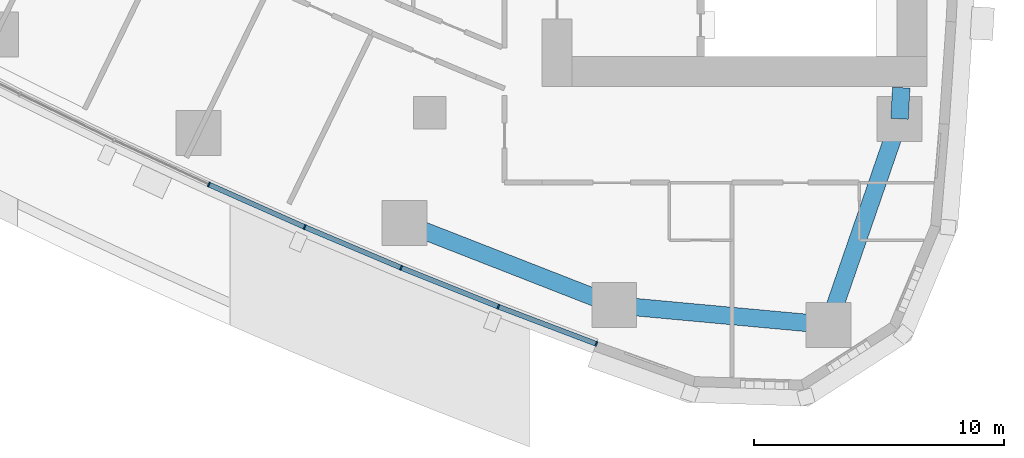
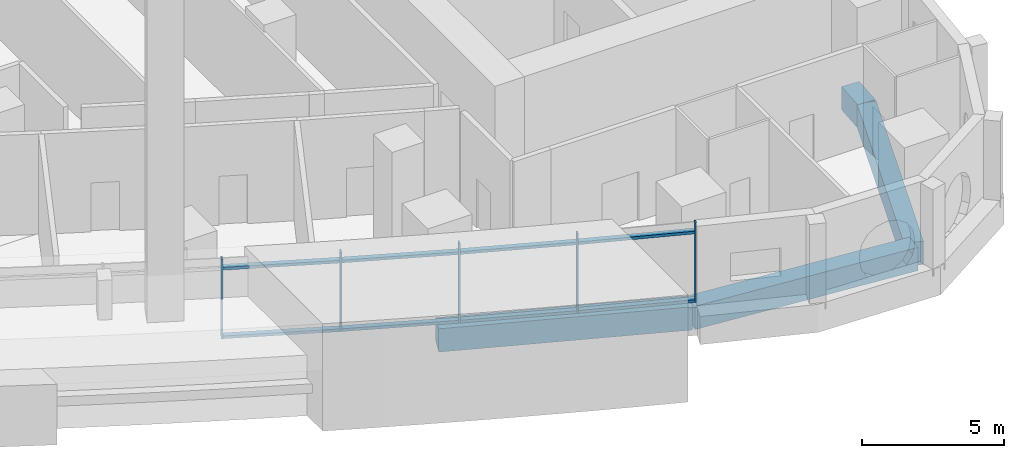
# One storey, part 3 of 20: 13 members, 4 beams, 3 elements without a shape of their own.
"""IFC4 building model written with IfcOpenShell, lengths in metres."""

from ifc_helpers import new_model, si_unit, direction, frame, origin, origin_2d, place, context, subcontext, project, spatial, rectangle, extrude, material, layer, layer_set, material_profile, profile_set, type_object, element, aggregate, save


model = new_model("IFC4")

# Units and contexts
model_context = context("Model", 3, precision=1e-05, world=origin(), true_north=direction((0.0, 1.0)))
body_context = subcontext(model_context, "Body", "Model", "MODEL_VIEW")
ifc_project = project(units=[si_unit("LENGTHUNIT", "METRE"), si_unit("AREAUNIT", "SQUARE_METRE"), si_unit("VOLUMEUNIT", "CUBIC_METRE"), si_unit("PLANEANGLEUNIT", "RADIAN"), si_unit("MASSUNIT", "GRAM", prefix="KILO")], contexts=[model_context])

# Site, building, storey
site_placement = place(None, origin())
site = spatial("IfcSite", under=ifc_project, at=site_placement, CompositionType="ELEMENT")
building_placement = place(site_placement, origin())
building = spatial("IfcBuilding", under=site, at=building_placement, Name="Ostrand Prow Hotel Tower", CompositionType="ELEMENT")
storey_placement = place(building_placement, frame((0.0, 0.0, 35.0)))
storey = spatial("IfcBuildingStorey", under=building, at=storey_placement, Name="L06", CompositionType="ELEMENT", Elevation=35.0)

# Beams
ifc_material_1 = material(Name="Concrete C80/95", Category="concrete")
ifc_material_profile_1 = material_profile(ifc_material_1, rectangle(XDim=0.699951171875, YDim=1.0, at=origin_2d()), Name="RC 700x1000")
ifc_profile_set_1 = profile_set([ifc_material_profile_1], Name="Concrete C80/95")
beam_type = type_object("IfcBeamType", Name="Edge beam 700x1000 C80/95", PredefinedType="SPANDREL", material=ifc_profile_set_1)
beam_1_placement = place(storey_placement, frame((43.997802734375, -22.427978515625, -0.800048828125), z_axis=(0.931329480916, -0.364177701098, 0.0), x_axis=(0.364177701098, 0.931329480916, 0.0)))
element("IfcBeam", 1, at=beam_1_placement, inside=storey, type_object=beam_type, Name="Edge beam S5-S6", PredefinedType="SPANDREL", context=body_context, shape_type="SweptSolid", body=[
    extrude(rectangle(XDim=0.699951171875, YDim=1.0, at=origin_2d()), origin(), (0.0, 0.0, 1.0), 9.0126953125),
])
beam_2_placement = place(storey_placement, frame((52.3916015625, -25.710205078125, -0.800048828125), z_axis=(0.995800189514, -0.091553167961, 0.0), x_axis=(0.091553167961, 0.995800189514, 0.0)))
element("IfcBeam", 2, at=beam_2_placement, inside=storey, type_object=beam_type, Name="Edge beam S6-SE", PredefinedType="SPANDREL", context=body_context, shape_type="SweptSolid", body=[
    extrude(rectangle(XDim=0.699951171875, YDim=1.0, at=origin_2d()), origin(), (0.0, 0.0, 1.0), 8.610595703125),
])
beam_3_placement = place(storey_placement, frame((60.966064453125, -26.49853515625, -0.800048828125), z_axis=(0.326263961413, 0.945278703602, 0.0), x_axis=(-0.945278703602, 0.326263961413, 0.0)))
element("IfcBeam", 3, at=beam_3_placement, inside=storey, type_object=beam_type, Name="Edge beam SE-B1", PredefinedType="SPANDREL", context=body_context, shape_type="SweptSolid", body=[
    extrude(rectangle(XDim=0.699951171875, YDim=1.0, at=origin_2d()), origin(), (0.0, 0.0, 1.0), 8.727294921875),
])
beam_4_placement = place(storey_placement, frame((63.8134765625, -18.248779296875, -0.800048828125), z_axis=(0.056215946509, 0.998418633319, 0.0), x_axis=(-0.998418633319, 0.056215946509, 0.0)))
element("IfcBeam", 4, at=beam_4_placement, inside=storey, type_object=beam_type, Name="Edge beam B1-B2", PredefinedType="SPANDREL", context=body_context, shape_type="SweptSolid", body=[
    extrude(rectangle(XDim=0.699951171875, YDim=1.0, at=origin_2d()), origin(), (0.0, 0.0, 1.0), 1.250732421875),
])

# Curtain wall, member
ifc_material_2 = material(Name="Insulated glass in bronze anodised frame", Category="glass")
ifc_layer = layer(ifc_material_2, 0.199951171875)
ifc_layer_set = layer_set([ifc_layer], Name="Insulated glass in bronze anodised frame")
curtain_wall_type = type_object("IfcCurtainWallType", Name="Sky lobby full-height curtain wall", PredefinedType="NOTDEFINED", material=ifc_layer_set)
curtain_wall_1_placement = place(storey_placement, origin())
curtain_wall_1 = element("IfcCurtainWall", 5, at=curtain_wall_1_placement, inside=storey, type_object=curtain_wall_type, Name="CW3 run CWS3", PredefinedType="NOTDEFINED")
ifc_material_3 = material(Name="Bronze anodised aluminium", Category="aluminium")
ifc_material_profile_2 = material_profile(ifc_material_3, rectangle(XDim=0.199951171875, YDim=0.06005859375, at=origin_2d()), Name="Mullion 60x200 bronze anodised aluminium")
ifc_profile_set_2 = profile_set([ifc_material_profile_2], Name="Bronze anodised aluminium")
member_type_1 = type_object("IfcMemberType", Name="Mullion 60x200 bronze anodised aluminium", PredefinedType="MULLION", material=ifc_profile_set_2)
member_1_placement = place(storey_placement, frame((36.162109375, -20.876953125, 0.89990234375), z_axis=(0.0, 0.0, 1.0), x_axis=(0.422529678615, 0.906349088757, 0.0)))
member_1 = element("IfcMember", 6, at=member_1_placement, type_object=member_type_1, Name="CW3 mullion 3", PredefinedType="MULLION", context=body_context, shape_type="SweptSolid", body=[
    extrude(rectangle(XDim=0.199951171875, YDim=0.06005859375, at=origin_2d()), origin(), (0.0, 0.0, 1.0), 3.400146484375),
])
aggregate(curtain_wall_1, [member_1])

# Curtain wall, members
curtain_wall_2_placement = place(storey_placement, origin())
curtain_wall_2 = element("IfcCurtainWall", 7, at=curtain_wall_2_placement, inside=storey, type_object=curtain_wall_type, Name="CW3 run CWS4", PredefinedType="NOTDEFINED")
member_2_placement = place(storey_placement, frame((39.99560546875, -22.5791015625, 0.89990234375), z_axis=(0.0, 0.0, 1.0), x_axis=(0.388892418709, 0.921283173987, 0.0)))
member_2 = element("IfcMember", 8, at=member_2_placement, type_object=member_type_1, Name="CW3 mullion 2", PredefinedType="MULLION", context=body_context, shape_type="SweptSolid", body=[
    extrude(rectangle(XDim=0.199951171875, YDim=0.06005859375, at=origin_2d()), origin(), (0.0, 0.0, 1.0), 3.400146484375),
])
member_3_placement = place(storey_placement, frame((43.859619140625, -24.210205078125, 0.89990234375), z_axis=(0.0, 0.0, 1.0), x_axis=(0.388892418709, 0.921283173987, 0.0)))
member_3 = element("IfcMember", 9, at=member_3_placement, type_object=member_type_1, Name="CW3 mullion 3", PredefinedType="MULLION", context=body_context, shape_type="SweptSolid", body=[
    extrude(rectangle(XDim=0.199951171875, YDim=0.06005859375, at=origin_2d()), origin(), (0.0, 0.0, 1.0), 3.400146484375),
])

curtain_wall_3_placement = place(storey_placement, origin())
curtain_wall_3 = element("IfcCurtainWall", 10, at=curtain_wall_3_placement, inside=storey, type_object=curtain_wall_type, Name="CW3 run CWS5", PredefinedType="NOTDEFINED")
member_4_placement = place(storey_placement, frame((47.7529296875, -25.769775390625, 0.89990234375), z_axis=(0.0, 0.0, 1.0), x_axis=(0.354728407072, 0.934969388384, 0.0)))
member_4 = element("IfcMember", 11, at=member_4_placement, type_object=member_type_1, Name="CW3 mullion 2", PredefinedType="MULLION", context=body_context, shape_type="SweptSolid", body=[
    extrude(rectangle(XDim=0.199951171875, YDim=0.06005859375, at=origin_2d()), origin(), (0.0, 0.0, 1.0), 3.400146484375),
])
member_5_placement = place(storey_placement, frame((51.674560546875, -27.2578125, 0.89990234375), z_axis=(0.0, 0.0, 1.0), x_axis=(0.354728407072, 0.934969388384, 0.0)))
member_5 = element("IfcMember", 12, at=member_5_placement, type_object=member_type_1, Name="CW3 mullion 3", PredefinedType="MULLION", context=body_context, shape_type="SweptSolid", body=[
    extrude(rectangle(XDim=0.199951171875, YDim=0.06005859375, at=origin_2d()), origin(), (0.0, 0.0, 1.0), 3.400146484375),
])

# Member
ifc_material_4 = material(Name="Bronze anodised aluminium", Category="aluminium")
ifc_material_profile_3 = material_profile(ifc_material_4, rectangle(XDim=0.199951171875, YDim=0.1201171875, at=origin_2d()), Name="Transom 120x200 bronze anodised aluminium")
ifc_profile_set_3 = profile_set([ifc_material_profile_3], Name="Bronze anodised aluminium")
member_type_2 = type_object("IfcMemberType", Name="Transom 120x200 bronze anodised aluminium", PredefinedType="USERDEFINED", material=ifc_profile_set_3)
member_6_placement = place(storey_placement, frame((36.189453125, -20.88916015625, 0.9599609375), z_axis=(0.913957599094, -0.405809693156, 0.0), x_axis=(0.405809693156, 0.913957599094, 0.0)))
member_6 = element("IfcMember", 13, at=member_6_placement, type_object=member_type_2, Name="CW3 transom 1.1", ObjectType="TRANSOM", PredefinedType="USERDEFINED", context=body_context, shape_type="SweptSolid", body=[
    extrude(rectangle(XDim=0.199951171875, YDim=0.1201171875, at=origin_2d()), origin(), (0.0, 0.0, 1.0), 4.13427734375),
])

member_7_placement = place(storey_placement, frame((36.189453125, -20.88916015625, 3.89990234375), z_axis=(0.913957599094, -0.405809693156, 0.0), x_axis=(0.405809693156, 0.913957599094, 0.0)))
member_7 = element("IfcMember", 14, at=member_7_placement, type_object=member_type_2, Name="CW3 transom 1.2", ObjectType="TRANSOM", PredefinedType="USERDEFINED", context=body_context, shape_type="SweptSolid", body=[
    extrude(rectangle(XDim=0.199951171875, YDim=0.1201171875, at=origin_2d()), origin(), (0.0, 0.0, 1.0), 4.13427734375),
])

member_8_placement = place(storey_placement, frame((40.023193359375, -22.5908203125, 0.9599609375), z_axis=(0.921284828297, -0.388888499637, 0.0), x_axis=(0.388888499637, 0.921284828297, 0.0)))
member_8 = element("IfcMember", 15, at=member_8_placement, type_object=member_type_2, Name="CW3 transom 2.1", ObjectType="TRANSOM", PredefinedType="USERDEFINED", context=body_context, shape_type="SweptSolid", body=[
    extrude(rectangle(XDim=0.199951171875, YDim=0.1201171875, at=origin_2d()), origin(), (0.0, 0.0, 1.0), 4.134033203125),
])

member_9_placement = place(storey_placement, frame((40.023193359375, -22.5908203125, 3.89990234375), z_axis=(0.921284828297, -0.388888499637, 0.0), x_axis=(0.388888499637, 0.921284828297, 0.0)))
member_9 = element("IfcMember", 16, at=member_9_placement, type_object=member_type_2, Name="CW3 transom 2.2", ObjectType="TRANSOM", PredefinedType="USERDEFINED", context=body_context, shape_type="SweptSolid", body=[
    extrude(rectangle(XDim=0.199951171875, YDim=0.1201171875, at=origin_2d()), origin(), (0.0, 0.0, 1.0), 4.134033203125),
])

aggregate(curtain_wall_2, [member_2, member_3, member_6, member_7, member_8, member_9])

member_10_placement = place(storey_placement, frame((43.887451171875, -24.22119140625, 0.9599609375), z_axis=(0.928264761225, -0.371920062739, 0.0), x_axis=(0.371920062739, 0.928264761225, 0.0)))
member_10 = element("IfcMember", 17, at=member_10_placement, type_object=member_type_2, Name="CW3 transom 1.1", ObjectType="TRANSOM", PredefinedType="USERDEFINED", context=body_context, shape_type="SweptSolid", body=[
    extrude(rectangle(XDim=0.199951171875, YDim=0.1201171875, at=origin_2d()), origin(), (0.0, 0.0, 1.0), 4.13427734375),
])

member_11_placement = place(storey_placement, frame((43.887451171875, -24.22119140625, 3.89990234375), z_axis=(0.928264761225, -0.371920062739, 0.0), x_axis=(0.371920062739, 0.928264761225, 0.0)))
member_11 = element("IfcMember", 18, at=member_11_placement, type_object=member_type_2, Name="CW3 transom 1.2", ObjectType="TRANSOM", PredefinedType="USERDEFINED", context=body_context, shape_type="SweptSolid", body=[
    extrude(rectangle(XDim=0.199951171875, YDim=0.1201171875, at=origin_2d()), origin(), (0.0, 0.0, 1.0), 4.13427734375),
])

member_12_placement = place(storey_placement, frame((47.781005859375, -25.780517578125, 0.9599609375), z_axis=(0.93497051437, -0.354725439261, 0.0), x_axis=(0.354725439261, 0.93497051437, 0.0)))
member_12 = element("IfcMember", 19, at=member_12_placement, type_object=member_type_2, Name="CW3 transom 2.1", ObjectType="TRANSOM", PredefinedType="USERDEFINED", context=body_context, shape_type="SweptSolid", body=[
    extrude(rectangle(XDim=0.199951171875, YDim=0.1201171875, at=origin_2d()), origin(), (0.0, 0.0, 1.0), 4.13427734375),
])

member_13_placement = place(storey_placement, frame((47.781005859375, -25.780517578125, 3.89990234375), z_axis=(0.93497051437, -0.354725439261, 0.0), x_axis=(0.354725439261, 0.93497051437, 0.0)))
member_13 = element("IfcMember", 20, at=member_13_placement, type_object=member_type_2, Name="CW3 transom 2.2", ObjectType="TRANSOM", PredefinedType="USERDEFINED", context=body_context, shape_type="SweptSolid", body=[
    extrude(rectangle(XDim=0.199951171875, YDim=0.1201171875, at=origin_2d()), origin(), (0.0, 0.0, 1.0), 4.13427734375),
])

aggregate(curtain_wall_3, [member_4, member_5, member_10, member_11, member_12, member_13])

save(model, "model.ifc")
